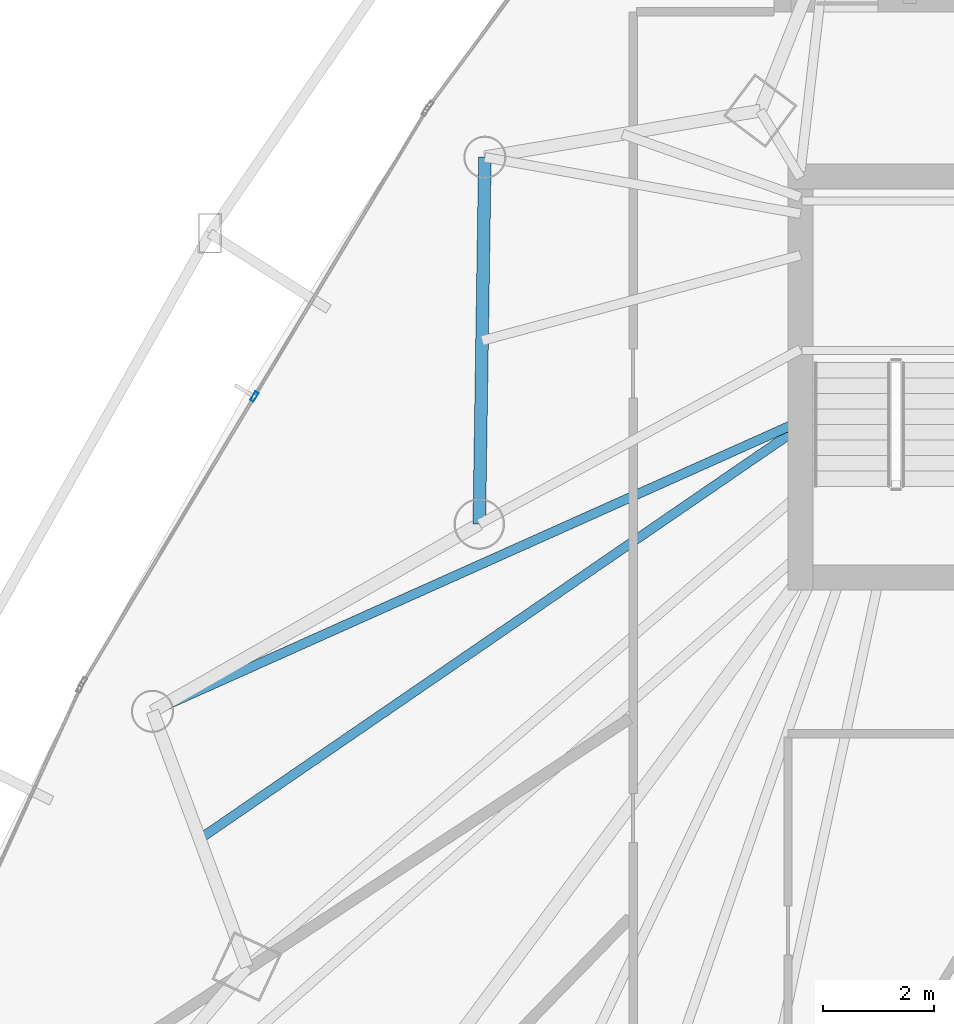
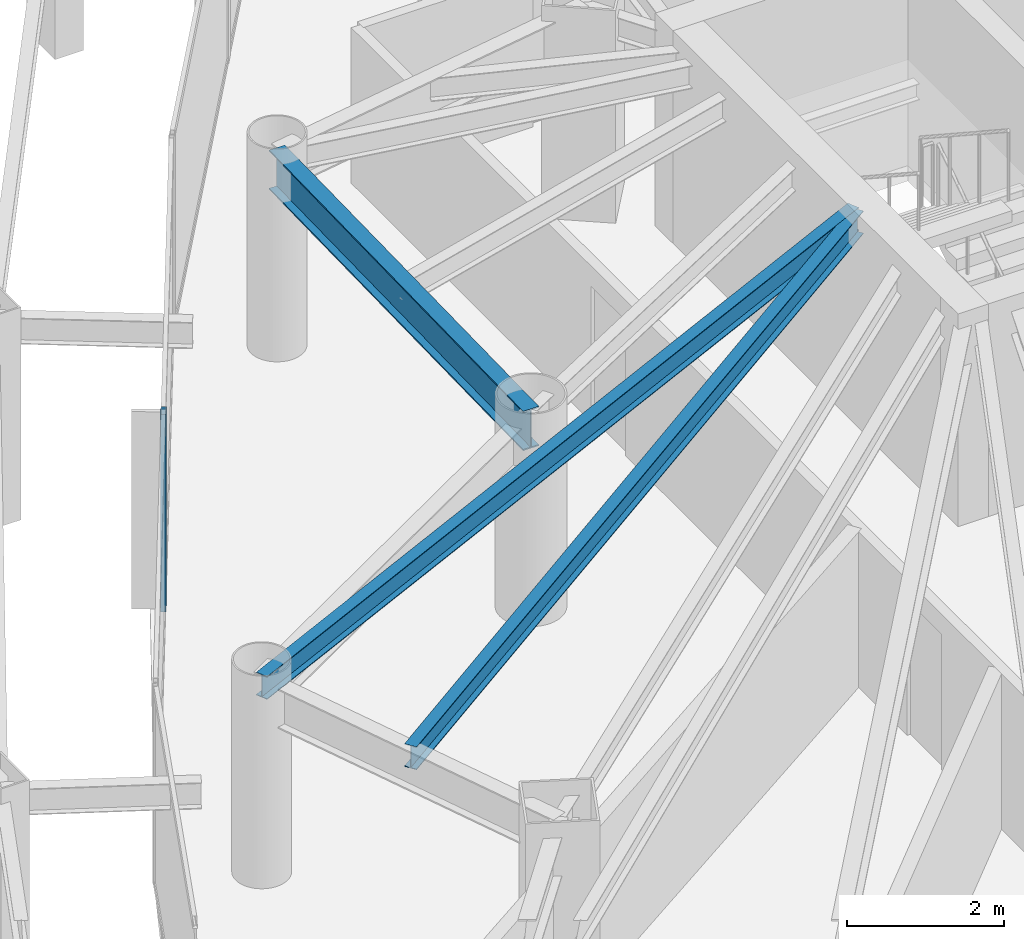
# One storey, part 11 of 33: 3 beams, 1 member, 1 element without a shape of its own.
"""IFC4 building model written with IfcOpenShell, lengths in metres."""

import ifcopenshell
import ifcopenshell.guid

model = None  # the IFC model being written
_history = None  # IfcOwnerHistory: only IFC2X3 demands one
_inside = {}  # id of a spatial element -> (the spatial element, [elements in it])
_under = {}  # id of a project, library or spatial element -> (it, [spatial elements below it])
_declared = {}  # id of a project -> (the project, [libraries it declares])
_typed = {}  # id of a type object -> (the type object, [elements of that type])
_made_of = {}  # id of a material, layer set ... -> (it, [elements and type objects made of it])


def new_model(schema):
    """Start an empty IFC model of exactly this schema.

    Asked for "IFC4X3", IfcOpenShell would pick the latest addendum, in which some entities
    have other attributes; the version numbers below select the first issue.
    IFC2X3 requires an IfcOwnerHistory on every rooted entity: one is made here for all.
    """
    global model, _history
    if schema == "IFC4X3":
        model = ifcopenshell.file(schema_version=(4, 3, 0, 0))
    else:
        model = ifcopenshell.file(schema=schema)
    _inside.clear()
    _under.clear()
    _declared.clear()
    _typed.clear()
    _made_of.clear()
    _history = None
    if model.schema == "IFC2X3":
        org = make("IfcOrganization", Name="unknown")
        user = make(
            "IfcPersonAndOrganization",
            ThePerson=make("IfcPerson", FamilyName="unknown"),
            TheOrganization=org,
        )
        app = make(
            "IfcApplication",
            ApplicationDeveloper=org,
            Version="unknown",
            ApplicationFullName="unknown",
            ApplicationIdentifier="unknown",
        )
        _history = make(
            "IfcOwnerHistory",
            OwningUser=user,
            OwningApplication=app,
            ChangeAction="ADDED",
            CreationDate=0,
        )
    return model


def make(cls, **values):
    """One entity of the class cls with the attributes given. An attribute that is None is left unset."""
    return model.create_entity(
        cls, **{name: value for name, value in values.items() if value is not None}
    )


def rooted(cls, **values):
    """An entity with a GlobalId (a new one), such as an element, a storey or a relation."""
    return make(cls, GlobalId=ifcopenshell.guid.new(), OwnerHistory=_history, **values)


def si_unit(unit_type, name, prefix=None):
    """IfcSIUnit, for example si_unit("LENGTHUNIT", "METRE", prefix="MILLI")."""
    return make("IfcSIUnit", UnitType=unit_type, Prefix=prefix, Name=name)


def assignment(units):
    """IfcUnitAssignment: the units of a project."""
    return None if units is None else make("IfcUnitAssignment", Units=units)


def point(xyz):
    """IfcCartesianPoint."""
    return None if xyz is None else make("IfcCartesianPoint", Coordinates=xyz)


def direction(xyz):
    """IfcDirection."""
    return None if xyz is None else make("IfcDirection", DirectionRatios=xyz)


def frame(location, z_axis=None, x_axis=None):
    """IfcAxis2Placement3D, a coordinate frame: its origin and axes. An axis left out is left unset."""
    return make(
        "IfcAxis2Placement3D",
        Location=point(location),
        Axis=direction(z_axis),
        RefDirection=direction(x_axis),
    )


def frame_2d(location, x_axis=None):
    """IfcAxis2Placement2D, a coordinate frame in the plane: its origin and x axis."""
    return make(
        "IfcAxis2Placement2D", Location=point(location), RefDirection=direction(x_axis)
    )


def origin():
    """The frame at (0, 0, 0) with its axes left unset."""
    return frame((0.0, 0.0, 0.0))


def origin_2d():
    """The frame at (0, 0) in the plane with its x axis left unset."""
    return frame_2d((0.0, 0.0))


def place(relative_to, where):
    """IfcLocalPlacement: puts the frame where relative to a parent placement (None: the world)."""
    return make(
        "IfcLocalPlacement", PlacementRelTo=relative_to, RelativePlacement=where
    )


def context(
    kind, dimensions, precision=None, world=None, true_north=None, identifier=None
):
    """IfcGeometricRepresentationContext, for example the 3D "Model" context."""
    return make(
        "IfcGeometricRepresentationContext",
        ContextIdentifier=identifier,
        ContextType=kind,
        CoordinateSpaceDimension=dimensions,
        Precision=precision,
        WorldCoordinateSystem=world,
        TrueNorth=true_north,
    )


def subcontext(parent, identifier, kind, view, scale=None):
    """IfcGeometricRepresentationSubContext, for example "Body" below "Model"."""
    return make(
        "IfcGeometricRepresentationSubContext",
        ContextIdentifier=identifier,
        ContextType=kind,
        ParentContext=parent,
        TargetScale=scale,
        TargetView=view,
    )


def project(units=None, contexts=None):
    """IfcProject with its units and contexts."""
    return rooted(
        "IfcProject",
        Name="project",
        RepresentationContexts=contexts,
        UnitsInContext=assignment(units),
    )


def spatial(cls, under=None, at=None, **own):
    """A site, building, storey or space (cls), placed at a placement, below another one or the project."""
    s = rooted(cls, ObjectPlacement=at, **own)
    if under is not None:
        _under.setdefault(under.id(), (under, []))[1].append(s)
    return s


def profile(cls, at=None, kind="AREA", **sizes):
    """A parametric profile (cls). Its sizes go by their IFC names, for example OverallWidth=200.0."""
    return make(cls, ProfileType=kind, Position=at, **sizes)


def hollow_rectangle(**sizes):
    """IfcRectangleHollowProfileDef."""
    return profile("IfcRectangleHollowProfileDef", **sizes)


def i_section(**sizes):
    """IfcIShapeProfileDef."""
    return profile("IfcIShapeProfileDef", **sizes)


def extrude(swept, where, along, depth):
    """IfcExtrudedAreaSolid: the profile swept, set in the frame where, extruded along a direction by depth."""
    return make(
        "IfcExtrudedAreaSolid",
        SweptArea=swept,
        Position=where,
        ExtrudedDirection=direction(along),
        Depth=depth,
    )


def shape(context_of_items, identifier, shape_type, items):
    """IfcShapeRepresentation: the items that make up one representation, for example the "Body"."""
    return make(
        "IfcShapeRepresentation",
        ContextOfItems=context_of_items,
        RepresentationIdentifier=identifier,
        RepresentationType=shape_type,
        Items=items,
    )


def material(Name=None, Category=None):
    """IfcMaterial."""
    return make("IfcMaterial", Name=Name, Category=Category)


def layer(
    of_material, thickness, ventilated=None, Name=None, Category=None, Priority=None
):
    """IfcMaterialLayer: one layer of a wall or slab, of a material (None: an air gap)."""
    return make(
        "IfcMaterialLayer",
        Material=of_material,
        LayerThickness=thickness,
        IsVentilated=ventilated,
        Name=Name,
        Category=Category,
        Priority=Priority,
    )


def layer_set(layers, Name=None):
    """IfcMaterialLayerSet."""
    return make("IfcMaterialLayerSet", MaterialLayers=layers, LayerSetName=Name)


def material_profile(
    of_material, cross_section, Name=None, Category=None, Priority=None
):
    """IfcMaterialProfile: a cross section and its material."""
    return make(
        "IfcMaterialProfile",
        Name=Name,
        Material=of_material,
        Profile=cross_section,
        Priority=Priority,
        Category=Category,
    )


def profile_set(profiles, Name=None, composite=None):
    """IfcMaterialProfileSet."""
    return make(
        "IfcMaterialProfileSet",
        Name=Name,
        MaterialProfiles=profiles,
        CompositeProfile=composite,
    )


def made_of(thing, what):
    """Note that an element or type object is made of a material, layer set ...; save() writes the relation."""
    if what is not None:
        _made_of.setdefault(what.id(), (what, []))[1].append(thing)
    return thing


def type_object(cls, material=None, **own):
    """A type object (cls), such as IfcWallType, which elements share."""
    return made_of(rooted(cls, **own), material)


def element(
    cls,
    number,
    at=None,
    inside=None,
    cuts=None,
    type_object=None,
    material=None,
    context=None,
    identifier="Body",
    shape_type=None,
    held_by="IfcProductDefinitionShape",
    body=None,
    shapes=None,
    **own,
):
    """One element of the class cls, such as IfcWall. Its Tag is "e" and its number.

    at: its placement. inside: the storey or other place that contains it. cuts: it is an
    opening in that element (IfcRelVoidsElement). A single representation is given by context,
    identifier, shape_type and body (its items); several are given by shapes. held_by: the class
    of the entity that holds the representations. save() writes the other relations.
    """
    e = rooted(cls, Tag="e%d" % number, ObjectPlacement=at, **own)
    if body is not None:
        shapes = [shape(context, identifier, shape_type, body)]
    if shapes is not None:
        e.Representation = make(held_by, Representations=shapes)
    if inside is not None:
        _inside.setdefault(inside.id(), (inside, []))[1].append(e)
    if cuts is not None:
        rooted(
            "IfcRelVoidsElement", RelatingBuildingElement=cuts, RelatedOpeningElement=e
        )
    if type_object is not None:
        _typed.setdefault(type_object.id(), (type_object, []))[1].append(e)
    return made_of(e, material)


def aggregate(whole, parts):
    """IfcRelAggregates: a whole, such as a stair, and the parts it consists of."""
    return rooted("IfcRelAggregates", RelatingObject=whole, RelatedObjects=parts)


def save(model, path):
    """Write the relations noted so far, then the file.

    IfcRelAggregates (storeys below a building ...), IfcRelContainedInSpatialStructure (elements
    in a storey), IfcRelDefinesByType, IfcRelAssociatesMaterial and IfcRelDeclares: one each for
    every whole, place, type object, material and project.
    """
    for whole, parts in _under.values():
        aggregate(whole, parts)
    for where, things in _inside.values():
        rooted(
            "IfcRelContainedInSpatialStructure",
            RelatedElements=things,
            RelatingStructure=where,
        )
    for kind, things in _typed.values():
        rooted("IfcRelDefinesByType", RelatedObjects=things, RelatingType=kind)
    for what, things in _made_of.values():
        rooted("IfcRelAssociatesMaterial", RelatedObjects=things, RelatingMaterial=what)
    for by, libraries in _declared.values():
        rooted("IfcRelDeclares", RelatingContext=by, RelatedDefinitions=libraries)
    model.write(path)


model = new_model("IFC4")

# Units and contexts
model_context = context("Model", 3, precision=1e-05, world=origin(), true_north=direction((0.0, 1.0)))
body_context = subcontext(model_context, "Body", "Model", "MODEL_VIEW")
ifc_project = project(units=[si_unit("LENGTHUNIT", "METRE"), si_unit("AREAUNIT", "SQUARE_METRE"), si_unit("VOLUMEUNIT", "CUBIC_METRE"), si_unit("PLANEANGLEUNIT", "RADIAN"), si_unit("MASSUNIT", "GRAM", prefix="KILO")], contexts=[model_context])

# Site, building, storey
site_placement = place(None, origin())
site = spatial("IfcSite", under=ifc_project, at=site_placement, CompositionType="ELEMENT")
building_placement = place(site_placement, origin())
building = spatial("IfcBuilding", under=site, at=building_placement, Name="Orvanel Arch Residences", CompositionType="ELEMENT")
storey_placement = place(building_placement, frame((0.0, 0.0, 84.050048828125)))
storey = spatial("IfcBuildingStorey", under=building, at=storey_placement, Name="L23", CompositionType="ELEMENT", Elevation=84.050048828125)

# Beams
ifc_material_1 = material(Name="Structural steel AS/NZS 3679.1 Grade 300 (300 MPa)", Category="steel")
ifc_material_profile_1 = material_profile(ifc_material_1, i_section(OverallWidth=0.1708984375, OverallDepth=0.35595703125, WebThickness=0.00732421875, FlangeThickness=0.011474609375, at=origin_2d()), Name="360UB50.7")
ifc_profile_set_1 = profile_set([ifc_material_profile_1], Name="Structural steel AS/NZS 3679.1 Grade 300 (300 MPa)")
beam_type_1 = type_object("IfcBeamType", Name="BJ-360UB", PredefinedType="JOIST", material=ifc_profile_set_1)
beam_1_placement = place(storey_placement, frame((26.375, 29.5, 2.8818359375), z_axis=(-0.912704378681, -0.408620505038, 0.0), x_axis=(0.408620505038, -0.912704378681, 0.0)))
element("IfcBeam", 1, at=beam_1_placement, inside=storey, type_object=beam_type_1, Name="L23 LSW Wing Floor Joist", PredefinedType="JOIST", context=body_context, shape_type="SweptSolid", body=[
    extrude(i_section(OverallWidth=0.1708984375, OverallDepth=0.35595703125, WebThickness=0.00732421875, FlangeThickness=0.011474609375, at=origin_2d()), origin(), (0.0, 0.0, 1.0), 12.833251953125),
])
beam_2_placement = place(storey_placement, frame((26.375, 29.39990234375, 2.8818359375), z_axis=(-0.824587280955, -0.565734757716, 0.0), x_axis=(0.565734757716, -0.824587280955, 0.0)))
element("IfcBeam", 2, at=beam_2_placement, inside=storey, type_object=beam_type_1, Name="L23 CTW Wing Floor Joist", PredefinedType="JOIST", context=body_context, shape_type="SweptSolid", body=[
    extrude(i_section(OverallWidth=0.1708984375, OverallDepth=0.35595703125, WebThickness=0.00732421875, FlangeThickness=0.011474609375, at=origin_2d()), origin(), (0.0, 0.0, 1.0), 13.17041015625),
])

# Curtain wall, member
ifc_material_2 = material(Name="Bronze-anodised aluminium AA6063-T6", Category="aluminium")
ifc_layer = layer(ifc_material_2, 0.179931640625)
ifc_layer_set = layer_set([ifc_layer], Name="Bronze-anodised aluminium AA6063-T6")
curtain_wall_type = type_object("IfcCurtainWallType", Name="CW2-LOW-SYS", PredefinedType="NOTDEFINED", material=ifc_layer_set)
curtain_wall_placement = place(storey_placement, origin())
curtain_wall = element("IfcCurtainWall", 3, at=curtain_wall_placement, inside=storey, type_object=curtain_wall_type, Name="L23 CW2-LOW-SYS Unitised Curtain Wall", PredefinedType="NOTDEFINED")
ifc_material_profile_2 = material_profile(ifc_material_2, hollow_rectangle(XDim=0.070068359375, YDim=0.179931640625, WallThickness=0.00439453125, at=origin_2d()), Name="ALU180x70x4.5")
ifc_profile_set_2 = profile_set([ifc_material_profile_2], Name="Bronze-anodised aluminium AA6063-T6")
member_type = type_object("IfcMemberType", Name="MUL-180x70", PredefinedType="MULLION", material=ifc_profile_set_2)
member_placement = place(storey_placement, frame((16.50439453125, 29.944580078125, 0.0), z_axis=(0.0, 0.0, 1.0), x_axis=(0.857536630134, -0.514422907712, 0.0)))
member = element("IfcMember", 4, at=member_placement, type_object=member_type, Name="CW-S2 mullion 2", PredefinedType="MULLION", context=body_context, shape_type="SweptSolid", body=[
    extrude(hollow_rectangle(XDim=0.070068359375, YDim=0.179931640625, WallThickness=0.00439453125, at=origin_2d()), origin(), (0.0, 0.0, 1.0), 3.06005859375),
])
aggregate(curtain_wall, [member])

# Beam
ifc_material_profile_3 = material_profile(ifc_material_1, i_section(OverallWidth=0.22900390625, OverallDepth=0.612060546875, WebThickness=0.011962890625, FlangeThickness=0.01953125, at=origin_2d()), Name="610UB125")
ifc_profile_set_3 = profile_set([ifc_material_profile_3], Name="Structural steel AS/NZS 3679.1 Grade 300 (300 MPa)")
beam_type_2 = type_object("IfcBeamType", Name="SP-610UB", PredefinedType="SPANDREL", material=ifc_profile_set_3)
beam_3_placement = place(storey_placement, frame((20.669921875, 34.27099609375, 2.75390625), z_axis=(-0.015206666874, -0.999884371956, 0.0), x_axis=(0.999884371956, -0.015206666874, 0.0)))
element("IfcBeam", 5, at=beam_3_placement, inside=storey, type_object=beam_type_2, Name="L23 Perimeter Spandrel Beam 20", PredefinedType="SPANDREL", context=body_context, shape_type="SweptSolid", body=[
    extrude(i_section(OverallWidth=0.22900390625, OverallDepth=0.612060546875, WebThickness=0.011962890625, FlangeThickness=0.01953125, at=origin_2d()), origin(), (0.0, 0.0, 1.0), 6.630615234375),
])

save(model, "model.ifc")
